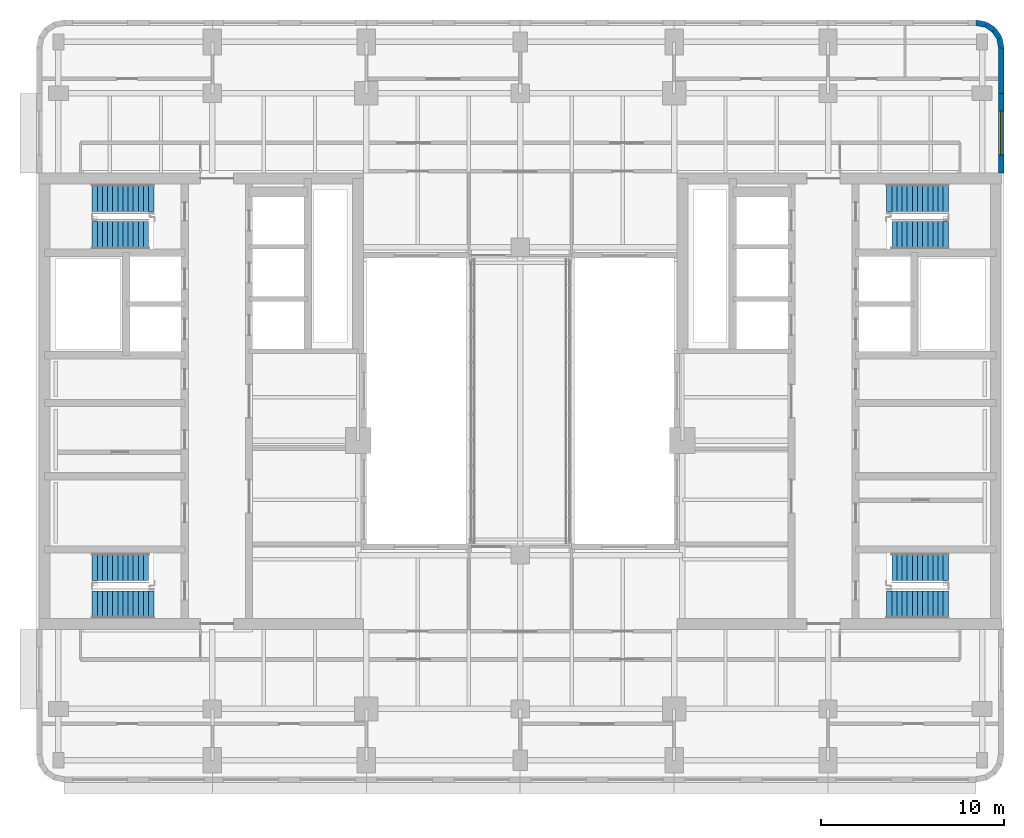
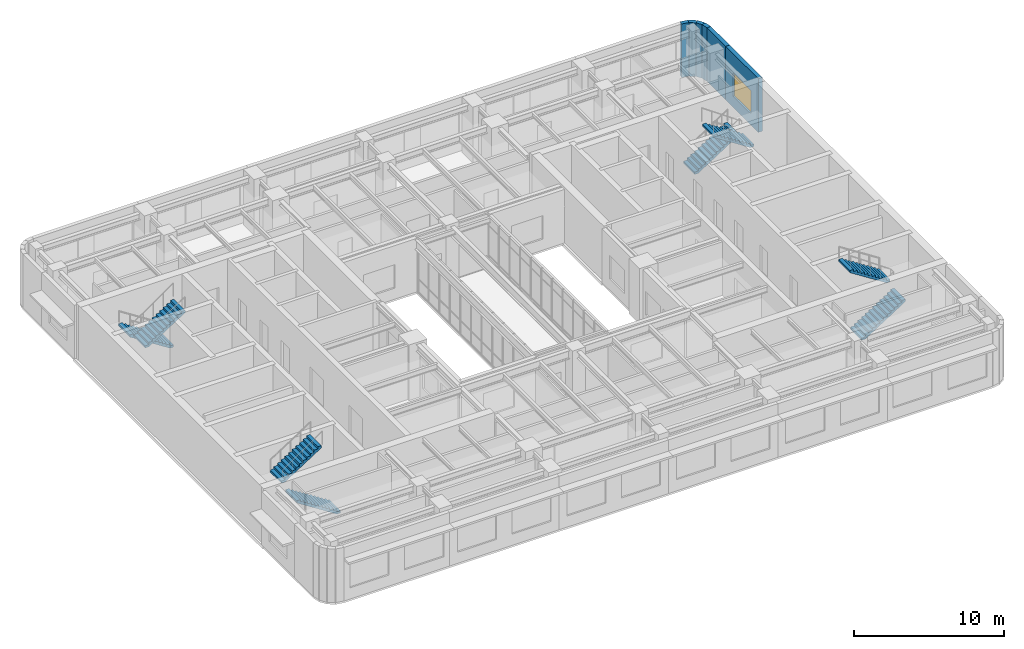
# One storey, part 11 of 14: 8 stair flights, 6 walls, 1 window, 1 opening, 4 elements without a shape of their own.
"""IFC4 building model written with IfcOpenShell, lengths in metres."""

from ifc_helpers import new_model, si_unit, direction, frame, frame_2d, origin, place, context, subcontext, project, spatial, polyline, rectangle, outline, extrude, material, layer, layer_set, type_object, element, fill, aggregate, save


model = new_model("IFC4")

# Units and contexts
model_context = context("Model", 3, precision=1e-05, world=origin(), true_north=direction((0.0, 1.0)))
body_context = subcontext(model_context, "Body", "Model", "MODEL_VIEW")
ifc_project = project(units=[si_unit("LENGTHUNIT", "METRE"), si_unit("AREAUNIT", "SQUARE_METRE"), si_unit("VOLUMEUNIT", "CUBIC_METRE"), si_unit("PLANEANGLEUNIT", "RADIAN"), si_unit("MASSUNIT", "GRAM", prefix="KILO")], contexts=[model_context])

# Site, building, storey
site_placement = place(None, origin())
site = spatial("IfcSite", under=ifc_project, at=site_placement, CompositionType="ELEMENT")
building_placement = place(site_placement, origin())
building = spatial("IfcBuilding", under=site, at=building_placement, Name="Claustro Exchange Tower", CompositionType="ELEMENT")
storey_placement = place(building_placement, frame((0.0, 0.0, 250.199951171875)))
storey = spatial("IfcBuildingStorey", under=building, at=storey_placement, Name="L57", CompositionType="ELEMENT", Elevation=250.199951171875)

# Walls
ifc_material_1 = material(Name="Concrete HA-40 (C40/50), precast, white cement, acid-etched", Category="concrete")
ifc_layer = layer(ifc_material_1, 0.300048828125)
ifc_layer_set = layer_set([ifc_layer], Name="Concrete HA-40 (C40/50), precast, white cement, acid-etched")
wall_type = type_object("IfcWallType", Name="PC1 300 precast concrete pier panel", PredefinedType="SOLIDWALL", material=ifc_layer_set)
wall_1_placement = place(storey_placement, frame((50.085205078125, 45.85009765625, 0.0), z_axis=(0.0, 0.0, 1.0), x_axis=(0.980702050465, -0.1955082817, 0.0)))
element("IfcWall", 1, at=wall_1_placement, inside=storey, type_object=wall_type, Name="Precast pier panel PC1 L57", PredefinedType="SOLIDWALL", context=body_context, shape_type="SweptSolid", body=[
    extrude(rectangle(XDim=0.540771484375, YDim=0.300048828125, at=frame_2d((0.2705078125, 0.0))), origin(), (0.0, 0.0, 1.0), 4.35009765625),
])
wall_2_placement = place(storey_placement, frame((50.615478515625, 45.744384765625, 0.0), z_axis=(0.0, 0.0, 1.0), x_axis=(0.831692711774, -0.555236195849, 0.0)))
element("IfcWall", 2, at=wall_2_placement, inside=storey, type_object=wall_type, Name="Precast pier panel PC1 L57", PredefinedType="SOLIDWALL", context=body_context, shape_type="SweptSolid", body=[
    extrude(rectangle(XDim=0.525390625, YDim=0.300048828125, at=frame_2d((0.2626953125, 0.0))), origin(), (0.0, 0.0, 1.0), 4.35009765625),
])
wall_3_placement = place(storey_placement, frame((51.052490234375, 45.45263671875, 0.0), z_axis=(0.0, 0.0, 1.0), x_axis=(0.55534295404, -0.831621430339, 0.0)))
element("IfcWall", 3, at=wall_3_placement, inside=storey, type_object=wall_type, Name="Precast pier panel PC1 L57", PredefinedType="SOLIDWALL", context=body_context, shape_type="SweptSolid", body=[
    extrude(rectangle(XDim=0.52587890625, YDim=0.300048828125, at=frame_2d((0.262939453125, 0.0))), origin(), (0.0, 0.0, 1.0), 4.35009765625),
])
wall_4_placement = place(storey_placement, frame((51.344482421875, 45.015380859375, 0.0), z_axis=(0.0, 0.0, 1.0), x_axis=(0.195073962632, -0.980788534345, 0.0)))
element("IfcWall", 4, at=wall_4_placement, inside=storey, type_object=wall_type, Name="Precast pier panel PC1 L57", PredefinedType="SOLIDWALL", context=body_context, shape_type="SweptSolid", body=[
    extrude(rectangle(XDim=0.540771484375, YDim=0.300048828125, at=frame_2d((0.2705078125, 0.0))), origin(), (0.0, 0.0, 1.0), 4.35009765625),
])
wall_5_placement = place(storey_placement, frame((51.449951171875, 44.485107421875, 0.0), z_axis=(0.0, 0.0, 1.0), x_axis=(0.0, -1.0, 0.0)))
element("IfcWall", 5, at=wall_5_placement, inside=storey, type_object=wall_type, Name="Precast pier panel PC1 L57", PredefinedType="SOLIDWALL", context=body_context, shape_type="SweptSolid", body=[
    extrude(rectangle(XDim=2.485107421875, YDim=0.300048828125, at=frame_2d((1.24267578125, 0.0))), origin(), (0.0, 0.0, 1.0), 4.35009765625),
])

# Wall, opening, window
wall_6_placement = place(storey_placement, frame((51.449951171875, 42.0, 0.0), z_axis=(0.0, 0.0, 1.0), x_axis=(0.0, -1.0, 0.0)))
wall_6 = element("IfcWall", 6, at=wall_6_placement, inside=storey, type_object=wall_type, Name="Precast pier panel PC1 L57", PredefinedType="SOLIDWALL", context=body_context, shape_type="SweptSolid", body=[
    extrude(rectangle(XDim=4.35009765625, YDim=0.300048828125, at=frame_2d((2.175048828125, 0.0))), origin(), (0.0, 0.0, 1.0), 4.35009765625),
])
opening_placement = place(wall_6_placement, frame((0.97509765625, 0.0, 0.89990234375)))
opening = element("IfcOpeningElement", 7, at=opening_placement, cuts=wall_6, Name="Opening W2", PredefinedType="OPENING", context=body_context, shape_type="SweptSolid", body=[
    extrude(rectangle(XDim=2.39990234375, YDim=1.89990234375, at=frame_2d((1.199951171875, 0.949951171875))), frame((0.0, 0.159912109375, 0.0), z_axis=(0.0, -1.0, 0.0), x_axis=(1.0, 0.0, 0.0)), (0.0, 0.0, 1.0), 0.320068359375),
])
ifc_material_2 = material(Name="Aluminium frame, clear double glazing", Category="aluminium")
window_type = type_object("IfcWindowType", Name="W2 2400 x 1900 window", PartitioningType="SINGLE_PANEL", PredefinedType="WINDOW", material=ifc_material_2)
window_placement = place(opening_placement, origin())
window = element("IfcWindow", 8, at=window_placement, inside=storey, type_object=window_type, Name="Window W2 L57", OverallHeight=1.89990234375, OverallWidth=2.39990234375, PartitioningType="SINGLE_PANEL", PredefinedType="WINDOW", context=body_context, shape_type="SweptSolid", body=[
    extrude(rectangle(XDim=2.39990234375, YDim=1.89990234375, at=frame_2d((1.199951171875, 0.949951171875))), frame((0.0, 0.030029296875, 0.0), z_axis=(0.0, -1.0, 0.0), x_axis=(1.0, 0.0, 0.0)), (0.0, 0.0, 1.0), 0.06005859375),
])
fill(opening, window)

# Stair, stair flight
ifc_material_3 = material(Name="Concrete HA-30 (C30/37), precast", Category="concrete")
stair_type = type_object("IfcStairType", Name="ST2 half-turn stair, 25 risers of 180", PredefinedType="HALF_TURN_STAIR", material=ifc_material_3)
stair_1_placement = place(storey_placement, origin())
stair_1 = element("IfcStair", 9, at=stair_1_placement, inside=storey, type_object=stair_type, Name="Stair STWA L57", PredefinedType="HALF_TURN_STAIR")
ifc_material_4 = material(Name="Concrete HA-30 (C30/37), precast", Category="concrete")
stair_flight_type_1 = type_object("IfcStairFlightType", Name="SF12B straight flight, 12 risers of 180, 1500 wide", PredefinedType="STRAIGHT", material=ifc_material_4)
stair_flight_1_placement = place(storey_placement, frame((1.840087890625, 16.14990234375, 2.340087890625), z_axis=(0.0, 0.0, 1.0), x_axis=(1.0, 0.0, 0.0)))
stair_flight_1 = element("IfcStairFlight", 10, at=stair_flight_1_placement, type_object=stair_flight_type_1, Name="STWA flight 2", NumberOfRisers=12, NumberOfTreads=11, PredefinedType="STRAIGHT", RiserHeight=0.18, TreadLength=0.28, context=body_context, shape_type="SweptSolid", body=[
    extrude(outline(polyline([(0.0, 0.0), (0.0, 0.179931640625), (0.280029296875, 0.179931640625), (0.280029296875, 0.360107421875), (0.56005859375, 0.360107421875), (0.56005859375, 0.5400390625), (0.840087890625, 0.5400390625), (0.840087890625, 0.719970703125), (1.1201171875, 0.719970703125), (1.1201171875, 0.89990234375), (1.39990234375, 0.89990234375), (1.39990234375, 1.080078125), (1.679931640625, 1.080078125), (1.679931640625, 1.260009765625), (1.9599609375, 1.260009765625), (1.9599609375, 1.43994140625), (2.239990234375, 1.43994140625), (2.239990234375, 1.6201171875), (2.52001953125, 1.6201171875), (2.52001953125, 1.800048828125), (2.800048828125, 1.800048828125), (2.800048828125, 1.97998046875), (3.080078125, 1.97998046875), (3.080078125, 2.159912109375), (3.080078125, 1.8017578125), (0.277099609375, 0.0), (0.0, 0.0)])), frame((0.0, 0.75, 0.0), z_axis=(0.0, -1.0, 0.0), x_axis=(1.0, 0.0, 0.0)), (0.0, 0.0, 1.0), 1.5),
])

stair_2_placement = place(storey_placement, origin())
stair_2 = element("IfcStair", 11, at=stair_2_placement, inside=storey, type_object=stair_type, Name="Stair STWB L57", PredefinedType="HALF_TURN_STAIR")
stair_flight_2_placement = place(storey_placement, frame((1.840087890625, 34.25, 2.340087890625), z_axis=(0.0, 0.0, 1.0), x_axis=(1.0, 0.0, 0.0)))
stair_flight_2 = element("IfcStairFlight", 12, at=stair_flight_2_placement, type_object=stair_flight_type_1, Name="STWB flight 2", NumberOfRisers=12, NumberOfTreads=11, PredefinedType="STRAIGHT", RiserHeight=0.18, TreadLength=0.28, context=body_context, shape_type="SweptSolid", body=[
    extrude(outline(polyline([(0.0, 0.0), (0.0, 0.179931640625), (0.280029296875, 0.179931640625), (0.280029296875, 0.360107421875), (0.56005859375, 0.360107421875), (0.56005859375, 0.5400390625), (0.840087890625, 0.5400390625), (0.840087890625, 0.719970703125), (1.1201171875, 0.719970703125), (1.1201171875, 0.89990234375), (1.39990234375, 0.89990234375), (1.39990234375, 1.080078125), (1.679931640625, 1.080078125), (1.679931640625, 1.260009765625), (1.9599609375, 1.260009765625), (1.9599609375, 1.43994140625), (2.239990234375, 1.43994140625), (2.239990234375, 1.6201171875), (2.52001953125, 1.6201171875), (2.52001953125, 1.800048828125), (2.800048828125, 1.800048828125), (2.800048828125, 1.97998046875), (3.080078125, 1.97998046875), (3.080078125, 2.159912109375), (3.080078125, 1.8017578125), (0.277099609375, 0.0), (0.0, 0.0)])), frame((0.0, 0.75, 0.0), z_axis=(0.0, -1.0, 0.0), x_axis=(1.0, 0.0, 0.0)), (0.0, 0.0, 1.0), 1.5),
])

stair_3_placement = place(storey_placement, origin())
stair_3 = element("IfcStair", 13, at=stair_3_placement, inside=storey, type_object=stair_type, Name="Stair STEA L57", PredefinedType="HALF_TURN_STAIR")
stair_flight_3_placement = place(storey_placement, frame((48.56005859375, 16.14990234375, 2.340087890625), z_axis=(0.0, 0.0, 1.0), x_axis=(-1.0, 0.0, 0.0)))
stair_flight_3 = element("IfcStairFlight", 14, at=stair_flight_3_placement, type_object=stair_flight_type_1, Name="STEA flight 2", NumberOfRisers=12, NumberOfTreads=11, PredefinedType="STRAIGHT", RiserHeight=0.18, TreadLength=0.28, context=body_context, shape_type="SweptSolid", body=[
    extrude(outline(polyline([(0.0, 0.0), (0.0, 0.179931640625), (0.280029296875, 0.179931640625), (0.280029296875, 0.360107421875), (0.56005859375, 0.360107421875), (0.56005859375, 0.5400390625), (0.840087890625, 0.5400390625), (0.840087890625, 0.719970703125), (1.1201171875, 0.719970703125), (1.1201171875, 0.89990234375), (1.39990234375, 0.89990234375), (1.39990234375, 1.080078125), (1.679931640625, 1.080078125), (1.679931640625, 1.260009765625), (1.9599609375, 1.260009765625), (1.9599609375, 1.43994140625), (2.239990234375, 1.43994140625), (2.239990234375, 1.6201171875), (2.52001953125, 1.6201171875), (2.52001953125, 1.800048828125), (2.800048828125, 1.800048828125), (2.800048828125, 1.97998046875), (3.080078125, 1.97998046875), (3.080078125, 2.159912109375), (3.080078125, 1.8017578125), (0.277099609375, 0.0), (0.0, 0.0)])), frame((0.0, 0.75, 0.0), z_axis=(0.0, -1.0, 0.0), x_axis=(1.0, 0.0, 0.0)), (0.0, 0.0, 1.0), 1.5),
])

stair_4_placement = place(storey_placement, origin())
stair_4 = element("IfcStair", 15, at=stair_4_placement, inside=storey, type_object=stair_type, Name="Stair STEB L57", PredefinedType="HALF_TURN_STAIR")
stair_flight_4_placement = place(storey_placement, frame((48.56005859375, 34.25, 2.340087890625), z_axis=(0.0, 0.0, 1.0), x_axis=(-1.0, 0.0, 0.0)))
stair_flight_4 = element("IfcStairFlight", 16, at=stair_flight_4_placement, type_object=stair_flight_type_1, Name="STEB flight 2", NumberOfRisers=12, NumberOfTreads=11, PredefinedType="STRAIGHT", RiserHeight=0.18, TreadLength=0.28, context=body_context, shape_type="SweptSolid", body=[
    extrude(outline(polyline([(0.0, 0.0), (0.0, 0.179931640625), (0.280029296875, 0.179931640625), (0.280029296875, 0.360107421875), (0.56005859375, 0.360107421875), (0.56005859375, 0.5400390625), (0.840087890625, 0.5400390625), (0.840087890625, 0.719970703125), (1.1201171875, 0.719970703125), (1.1201171875, 0.89990234375), (1.39990234375, 0.89990234375), (1.39990234375, 1.080078125), (1.679931640625, 1.080078125), (1.679931640625, 1.260009765625), (1.9599609375, 1.260009765625), (1.9599609375, 1.43994140625), (2.239990234375, 1.43994140625), (2.239990234375, 1.6201171875), (2.52001953125, 1.6201171875), (2.52001953125, 1.800048828125), (2.800048828125, 1.800048828125), (2.800048828125, 1.97998046875), (3.080078125, 1.97998046875), (3.080078125, 2.159912109375), (3.080078125, 1.8017578125), (0.277099609375, 0.0), (0.0, 0.0)])), frame((0.0, 0.75, 0.0), z_axis=(0.0, -1.0, 0.0), x_axis=(1.0, 0.0, 0.0)), (0.0, 0.0, 1.0), 1.5),
])

# Stair flight
ifc_material_5 = material(Name="Concrete HA-30 (C30/37), precast", Category="concrete")
stair_flight_type_2 = type_object("IfcStairFlightType", Name="SF13 straight flight, 13 risers of 180, 1500 wide", PredefinedType="STRAIGHT", material=ifc_material_5)
stair_flight_5_placement = place(storey_placement, frame((5.199951171875, 14.10009765625, 0.0), z_axis=(0.0, 0.0, 1.0), x_axis=(-1.0, 0.0, 0.0)))
stair_flight_5 = element("IfcStairFlight", 17, at=stair_flight_5_placement, type_object=stair_flight_type_2, Name="STWA flight 1", NumberOfRisers=13, NumberOfTreads=12, PredefinedType="STRAIGHT", RiserHeight=0.18, TreadLength=0.28, context=body_context, shape_type="SweptSolid", body=[
    extrude(outline(polyline([(0.0, 0.0), (0.0, 0.179931640625), (0.280029296875, 0.179931640625), (0.280029296875, 0.360107421875), (0.56005859375, 0.360107421875), (0.56005859375, 0.5400390625), (0.840087890625, 0.5400390625), (0.840087890625, 0.719970703125), (1.1201171875, 0.719970703125), (1.1201171875, 0.89990234375), (1.39990234375, 0.89990234375), (1.39990234375, 1.080078125), (1.679931640625, 1.080078125), (1.679931640625, 1.260009765625), (1.9599609375, 1.260009765625), (1.9599609375, 1.43994140625), (2.239990234375, 1.43994140625), (2.239990234375, 1.6201171875), (2.52001953125, 1.6201171875), (2.52001953125, 1.800048828125), (2.800048828125, 1.800048828125), (2.800048828125, 1.97998046875), (3.080078125, 1.97998046875), (3.080078125, 2.159912109375), (3.360107421875, 2.159912109375), (3.360107421875, 2.340087890625), (3.360107421875, 1.981689453125), (0.277099609375, 0.0), (0.0, 0.0)])), frame((0.0, 0.75, 0.0), z_axis=(0.0, -1.0, 0.0), x_axis=(1.0, 0.0, 0.0)), (0.0, 0.0, 1.0), 1.5),
])

aggregate(stair_1, [stair_flight_5, stair_flight_1])

stair_flight_6_placement = place(storey_placement, frame((5.199951171875, 36.300048828125, 0.0), z_axis=(0.0, 0.0, 1.0), x_axis=(-1.0, 0.0, 0.0)))
stair_flight_6 = element("IfcStairFlight", 18, at=stair_flight_6_placement, type_object=stair_flight_type_2, Name="STWB flight 1", NumberOfRisers=13, NumberOfTreads=12, PredefinedType="STRAIGHT", RiserHeight=0.18, TreadLength=0.28, context=body_context, shape_type="SweptSolid", body=[
    extrude(outline(polyline([(0.0, 0.0), (0.0, 0.179931640625), (0.280029296875, 0.179931640625), (0.280029296875, 0.360107421875), (0.56005859375, 0.360107421875), (0.56005859375, 0.5400390625), (0.840087890625, 0.5400390625), (0.840087890625, 0.719970703125), (1.1201171875, 0.719970703125), (1.1201171875, 0.89990234375), (1.39990234375, 0.89990234375), (1.39990234375, 1.080078125), (1.679931640625, 1.080078125), (1.679931640625, 1.260009765625), (1.9599609375, 1.260009765625), (1.9599609375, 1.43994140625), (2.239990234375, 1.43994140625), (2.239990234375, 1.6201171875), (2.52001953125, 1.6201171875), (2.52001953125, 1.800048828125), (2.800048828125, 1.800048828125), (2.800048828125, 1.97998046875), (3.080078125, 1.97998046875), (3.080078125, 2.159912109375), (3.360107421875, 2.159912109375), (3.360107421875, 2.340087890625), (3.360107421875, 1.981689453125), (0.277099609375, 0.0), (0.0, 0.0)])), frame((0.0, 0.75, 0.0), z_axis=(0.0, -1.0, 0.0), x_axis=(1.0, 0.0, 0.0)), (0.0, 0.0, 1.0), 1.5),
])

aggregate(stair_2, [stair_flight_6, stair_flight_2])

stair_flight_7_placement = place(storey_placement, frame((45.199951171875, 14.10009765625, 0.0), z_axis=(0.0, 0.0, 1.0), x_axis=(1.0, 0.0, 0.0)))
stair_flight_7 = element("IfcStairFlight", 19, at=stair_flight_7_placement, type_object=stair_flight_type_2, Name="STEA flight 1", NumberOfRisers=13, NumberOfTreads=12, PredefinedType="STRAIGHT", RiserHeight=0.18, TreadLength=0.28, context=body_context, shape_type="SweptSolid", body=[
    extrude(outline(polyline([(0.0, 0.0), (0.0, 0.179931640625), (0.280029296875, 0.179931640625), (0.280029296875, 0.360107421875), (0.56005859375, 0.360107421875), (0.56005859375, 0.5400390625), (0.840087890625, 0.5400390625), (0.840087890625, 0.719970703125), (1.1201171875, 0.719970703125), (1.1201171875, 0.89990234375), (1.39990234375, 0.89990234375), (1.39990234375, 1.080078125), (1.679931640625, 1.080078125), (1.679931640625, 1.260009765625), (1.9599609375, 1.260009765625), (1.9599609375, 1.43994140625), (2.239990234375, 1.43994140625), (2.239990234375, 1.6201171875), (2.52001953125, 1.6201171875), (2.52001953125, 1.800048828125), (2.800048828125, 1.800048828125), (2.800048828125, 1.97998046875), (3.080078125, 1.97998046875), (3.080078125, 2.159912109375), (3.360107421875, 2.159912109375), (3.360107421875, 2.340087890625), (3.360107421875, 1.981689453125), (0.277099609375, 0.0), (0.0, 0.0)])), frame((0.0, 0.75, 0.0), z_axis=(0.0, -1.0, 0.0), x_axis=(1.0, 0.0, 0.0)), (0.0, 0.0, 1.0), 1.5),
])

aggregate(stair_3, [stair_flight_7, stair_flight_3])

stair_flight_8_placement = place(storey_placement, frame((45.199951171875, 36.300048828125, 0.0), z_axis=(0.0, 0.0, 1.0), x_axis=(1.0, 0.0, 0.0)))
stair_flight_8 = element("IfcStairFlight", 20, at=stair_flight_8_placement, type_object=stair_flight_type_2, Name="STEB flight 1", NumberOfRisers=13, NumberOfTreads=12, PredefinedType="STRAIGHT", RiserHeight=0.18, TreadLength=0.28, context=body_context, shape_type="SweptSolid", body=[
    extrude(outline(polyline([(0.0, 0.0), (0.0, 0.179931640625), (0.280029296875, 0.179931640625), (0.280029296875, 0.360107421875), (0.56005859375, 0.360107421875), (0.56005859375, 0.5400390625), (0.840087890625, 0.5400390625), (0.840087890625, 0.719970703125), (1.1201171875, 0.719970703125), (1.1201171875, 0.89990234375), (1.39990234375, 0.89990234375), (1.39990234375, 1.080078125), (1.679931640625, 1.080078125), (1.679931640625, 1.260009765625), (1.9599609375, 1.260009765625), (1.9599609375, 1.43994140625), (2.239990234375, 1.43994140625), (2.239990234375, 1.6201171875), (2.52001953125, 1.6201171875), (2.52001953125, 1.800048828125), (2.800048828125, 1.800048828125), (2.800048828125, 1.97998046875), (3.080078125, 1.97998046875), (3.080078125, 2.159912109375), (3.360107421875, 2.159912109375), (3.360107421875, 2.340087890625), (3.360107421875, 1.981689453125), (0.277099609375, 0.0), (0.0, 0.0)])), frame((0.0, 0.75, 0.0), z_axis=(0.0, -1.0, 0.0), x_axis=(1.0, 0.0, 0.0)), (0.0, 0.0, 1.0), 1.5),
])

aggregate(stair_4, [stair_flight_8, stair_flight_4])

save(model, "model.ifc")
